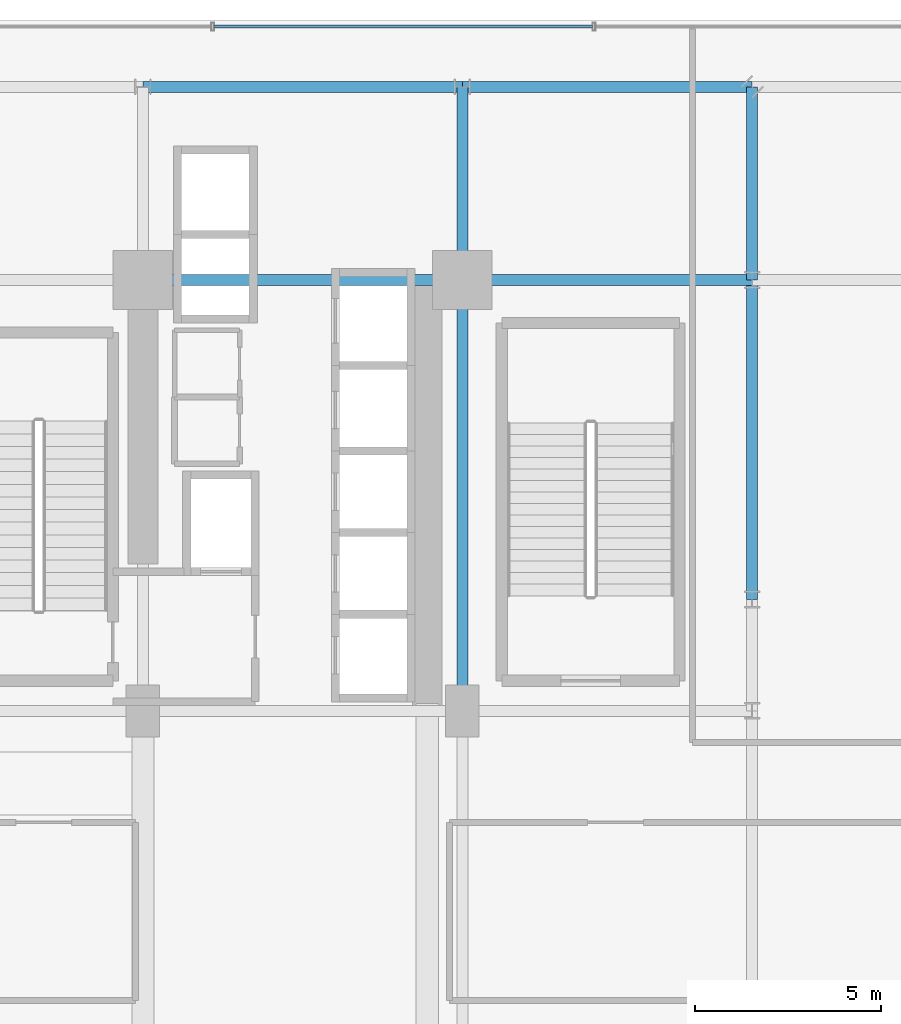
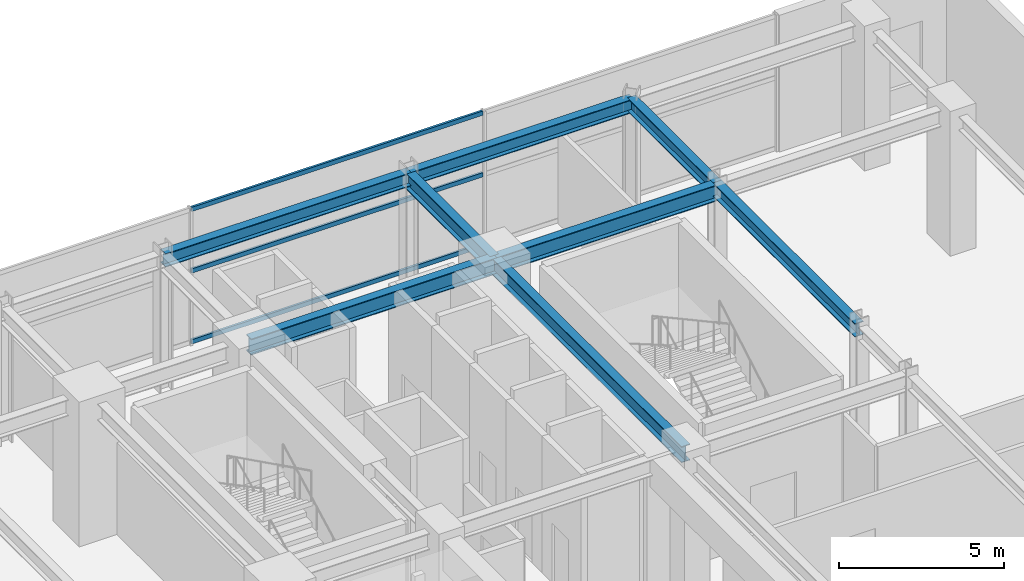
# One storey, part 19 of 32: 8 beams, 3 members, 1 element without a shape of its own.
"""IFC4 building model written with IfcOpenShell, lengths in metres."""

from ifc_helpers import new_model, si_unit, direction, frame, origin, origin_2d, place, context, subcontext, project, spatial, hollow_rectangle, i_section, extrude, source, transform, mapped, material, material_profile, profile_set, type_object, element, aggregate, save


model = new_model("IFC4")

# Units and contexts
model_context = context("Model", 3, precision=1e-05, world=origin(), true_north=direction((0.0, 1.0)))
body_context = subcontext(model_context, "Body", "Model", "MODEL_VIEW")
ifc_project = project(units=[si_unit("LENGTHUNIT", "METRE"), si_unit("AREAUNIT", "SQUARE_METRE"), si_unit("VOLUMEUNIT", "CUBIC_METRE"), si_unit("PLANEANGLEUNIT", "RADIAN"), si_unit("MASSUNIT", "GRAM", prefix="KILO")], contexts=[model_context])

# Site, building, storey
site_placement = place(None, origin())
site = spatial("IfcSite", under=ifc_project, at=site_placement, CompositionType="ELEMENT")
building_placement = place(site_placement, origin())
building = spatial("IfcBuilding", under=site, at=building_placement, Name="Nahalor Promenade Grand Hotel", CompositionType="ELEMENT")
storey_placement = place(building_placement, frame((0.0, 0.0, 10.800048828125)))
storey = spatial("IfcBuildingStorey", under=building, at=storey_placement, Name="L02", CompositionType="ELEMENT", Elevation=10.800048828125)

# Beams
ifc_material_1 = material(Name="Steel S355JR", Category="steel")
ifc_material_profile_1 = material_profile(ifc_material_1, i_section(OverallWidth=0.3, OverallDepth=0.6, WebThickness=0.0155, FlangeThickness=0.03, at=origin_2d()), Name="HEB 600")
ifc_profile_set_1 = profile_set([ifc_material_profile_1], Name="Steel S355JR")
beam_type_1 = type_object("IfcBeamType", Name="Beam-Girder-HEB600", PredefinedType="BEAM", material=ifc_profile_set_1)
shared_shape_1 = source(origin(), body_context, "Body", "SweptSolid", [
    extrude(i_section(OverallWidth=0.3, OverallDepth=0.6, WebThickness=0.0155, FlangeThickness=0.03, at=origin_2d()), origin(), (0.0, 0.0, 1.0), 7.800048828125),
])
beam_1_placement = place(storey_placement, frame((17.0, 17.0, 4.760009765625), z_axis=(1.0, 0.0, 0.0), x_axis=(0.0, 1.0, 0.0)))
element("IfcBeam", 1, at=beam_1_placement, inside=storey, type_object=beam_type_1, Name="BM-L02-GX-3-7", PredefinedType="BEAM", context=body_context, shape_type="MappedRepresentation", body=[
    mapped(shared_shape_1, transform((0.0, 0.0, 0.0), scale=1.0)),
])
shared_shape_2 = source(origin(), body_context, "Body", "SweptSolid", [
    extrude(i_section(OverallWidth=0.3, OverallDepth=0.6, WebThickness=0.0155, FlangeThickness=0.03, at=origin_2d()), origin(), (0.0, 0.0, 1.0), 8.60009765625),
])
beam_2_placement = place(storey_placement, frame((8.39990234375, 17.0, 4.760009765625), z_axis=(1.0, 0.0, 0.0), x_axis=(0.0, 1.0, 0.0)))
element("IfcBeam", 2, at=beam_2_placement, inside=storey, type_object=beam_type_1, Name="BM-L02-GX-3-6", PredefinedType="BEAM", context=body_context, shape_type="MappedRepresentation", body=[
    mapped(shared_shape_2, transform((0.0, 0.0, 0.0), scale=1.0)),
])
shared_shape_3 = source(origin(), body_context, "Body", "SweptSolid", [
    extrude(i_section(OverallWidth=0.3, OverallDepth=0.6, WebThickness=0.0155, FlangeThickness=0.03, at=origin_2d()), origin(), (0.0, 0.0, 1.0), 5.199951171875),
])
beam_3_placement = place(storey_placement, frame((17.0, 17.0, 4.760009765625), z_axis=(0.0, 1.0, 0.0), x_axis=(-1.0, 0.0, 0.0)))
element("IfcBeam", 3, at=beam_3_placement, inside=storey, type_object=beam_type_1, Name="BM-L02-GY-5-4", PredefinedType="BEAM", context=body_context, shape_type="MappedRepresentation", body=[
    mapped(shared_shape_3, transform((0.0, 0.0, 0.0), scale=1.0)),
])
shared_shape_4 = source(origin(), body_context, "Body", "SweptSolid", [
    extrude(i_section(OverallWidth=0.3, OverallDepth=0.6, WebThickness=0.0155, FlangeThickness=0.03, at=origin_2d()), origin(), (0.0, 0.0, 1.0), 11.60009765625),
])
beam_4_placement = place(storey_placement, frame((17.0, 5.39990234375, 4.760009765625), z_axis=(0.0, 1.0, 0.0), x_axis=(-1.0, 0.0, 0.0)))
element("IfcBeam", 4, at=beam_4_placement, inside=storey, type_object=beam_type_1, Name="BM-L02-GY-5-3", PredefinedType="BEAM", context=body_context, shape_type="MappedRepresentation", body=[
    mapped(shared_shape_4, transform((0.0, 0.0, 0.0), scale=1.0)),
])
ifc_material_profile_2 = material_profile(ifc_material_1, i_section(OverallWidth=0.3, OverallDepth=0.5, WebThickness=0.0145, FlangeThickness=0.028, at=origin_2d()), Name="HEB 500")
ifc_profile_set_2 = profile_set([ifc_material_profile_2], Name="Steel S355JR")
beam_type_2 = type_object("IfcBeamType", Name="Beam-Spandrel-HEB500", PredefinedType="SPANDREL", material=ifc_profile_set_2)
shared_shape_5 = source(origin(), body_context, "Body", "SweptSolid", [
    extrude(i_section(OverallWidth=0.3, OverallDepth=0.5, WebThickness=0.0145, FlangeThickness=0.028, at=origin_2d()), origin(), (0.0, 0.0, 1.0), 8.60009765625),
])
for number, where, z_axis, x_axis, name in (
    (5, (8.39990234375, 22.199951171875, 4.81005859375), (1.0, 0.0, 0.0), (0.0, 1.0, 0.0), "BM-L02-SP-N-4"),
    (6, (24.800048828125, 8.39990234375, 4.81005859375), (0.0, 1.0, 0.0), (-1.0, 0.0, 0.0), "BM-L02-SP-E-4"),
):
    element("IfcBeam", number, at=place(storey_placement, frame(where, z_axis=z_axis, x_axis=x_axis)), inside=storey, type_object=beam_type_2, Name=name, PredefinedType="SPANDREL", context=body_context, shape_type="MappedRepresentation", body=[
        mapped(shared_shape_5, transform((0.0, 0.0, 0.0), scale=1.0)),
    ])
shared_shape_6 = source(origin(), body_context, "Body", "SweptSolid", [
    extrude(i_section(OverallWidth=0.3, OverallDepth=0.5, WebThickness=0.0145, FlangeThickness=0.028, at=origin_2d()), origin(), (0.0, 0.0, 1.0), 7.800048828125),
])
beam_5_placement = place(storey_placement, frame((17.0, 22.199951171875, 4.81005859375), z_axis=(1.0, 0.0, 0.0), x_axis=(0.0, 1.0, 0.0)))
element("IfcBeam", 7, at=beam_5_placement, inside=storey, type_object=beam_type_2, Name="BM-L02-SPC-NE-1", PredefinedType="SPANDREL", context=body_context, shape_type="MappedRepresentation", body=[
    mapped(shared_shape_6, transform((0.0, 0.0, 0.0), scale=1.0)),
])
shared_shape_7 = source(origin(), body_context, "Body", "SweptSolid", [
    extrude(i_section(OverallWidth=0.3, OverallDepth=0.5, WebThickness=0.0145, FlangeThickness=0.028, at=origin_2d()), origin(), (0.0, 0.0, 1.0), 5.199951171875),
])
beam_6_placement = place(storey_placement, frame((24.800048828125, 22.199951171875, 4.81005859375), z_axis=(0.0, -1.0, 0.0), x_axis=(1.0, 0.0, 0.0)))
element("IfcBeam", 8, at=beam_6_placement, inside=storey, type_object=beam_type_2, Name="BM-L02-SPC-NE-2", PredefinedType="SPANDREL", context=body_context, shape_type="MappedRepresentation", body=[
    mapped(shared_shape_7, transform((0.0, 0.0, 0.0), scale=1.0)),
])

# Curtain wall, members
ifc_material_2 = material(Name="Anodised Bronze Aluminium EN AW-6063 T6", Category="aluminium")
curtain_wall_type = type_object("IfcCurtainWallType", Name="CW1 Waterfront Podium Bronze Arcade Curtain Wall", PredefinedType="USERDEFINED", material=ifc_material_2)
curtain_wall_placement = place(storey_placement, origin())
curtain_wall = element("IfcCurtainWall", 9, at=curtain_wall_placement, inside=storey, type_object=curtain_wall_type, Name="L02 Curtain Wall CW-L02-N", ObjectType="UNITISED_CURTAIN_WALL", PredefinedType="USERDEFINED")
ifc_material_profile_3 = material_profile(ifc_material_2, hollow_rectangle(XDim=0.08, YDim=0.16, WallThickness=0.004, at=origin_2d()), Name="CWT 80x160x4")
ifc_profile_set_3 = profile_set([ifc_material_profile_3], Name="Anodised Bronze Aluminium EN AW-6063 T6")
member_type = type_object("IfcMemberType", Name="CWT1 Podium Bronze Transom 80x160", PredefinedType="USERDEFINED", material=ifc_profile_set_3)
shared_shape_8 = source(origin(), body_context, "Body", "SweptSolid", [
    extrude(hollow_rectangle(XDim=0.08, YDim=0.16, WallThickness=0.004, at=origin_2d()), origin(), (0.0, 0.0, 1.0), 10.193359375),
])
member_1_placement = place(storey_placement, frame((10.313232421875, 23.820068359375, 0.079833984375), z_axis=(1.0, 0.0, 0.0), x_axis=(0.0, 1.0, 0.0)))
member_1 = element("IfcMember", 10, at=member_1_placement, type_object=member_type, Name="CW-L02-N Transom 4-0", ObjectType="TRANSOM", PredefinedType="USERDEFINED", context=body_context, shape_type="MappedRepresentation", body=[
    mapped(shared_shape_8, transform((0.0, 0.0, 0.0), scale=1.0)),
])
member_2_placement = place(storey_placement, frame((10.313232421875, 23.820068359375, 2.699951171875), z_axis=(1.0, 0.0, 0.0), x_axis=(0.0, 1.0, 0.0)))
member_2 = element("IfcMember", 11, at=member_2_placement, type_object=member_type, Name="CW-L02-N Transom 4-1", ObjectType="TRANSOM", PredefinedType="USERDEFINED", context=body_context, shape_type="MappedRepresentation", body=[
    mapped(shared_shape_8, transform((0.0, 0.0, 0.0), scale=1.0)),
])
member_3_placement = place(storey_placement, frame((10.313232421875, 23.820068359375, 4.97998046875), z_axis=(1.0, 0.0, 0.0), x_axis=(0.0, 1.0, 0.0)))
member_3 = element("IfcMember", 12, at=member_3_placement, type_object=member_type, Name="CW-L02-N Transom 4-2", ObjectType="TRANSOM", PredefinedType="USERDEFINED", context=body_context, shape_type="MappedRepresentation", body=[
    mapped(shared_shape_8, transform((0.0, 0.0, 0.0), scale=1.0)),
])
aggregate(curtain_wall, [member_1, member_2, member_3])

save(model, "model.ifc")
